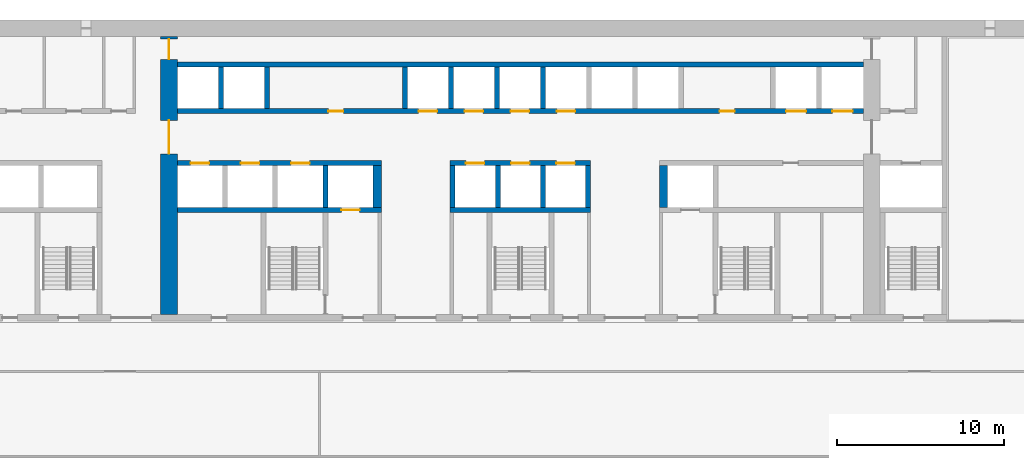
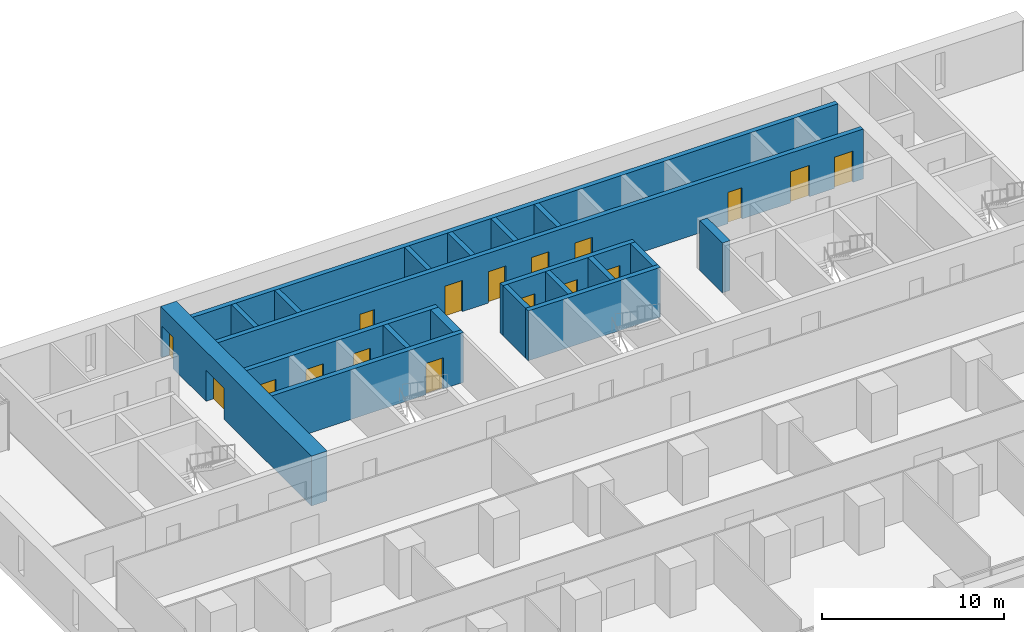
# One storey, part 11 of 18: 20 walls, 17 doors, 17 openings.
"""IFC4 building model written with IfcOpenShell, lengths in metres."""

from ifc_helpers import new_model, si_unit, direction, frame, frame_2d, origin, place, context, subcontext, project, spatial, rectangle, extrude, material, layer, layer_set, type_object, element, fill, save


model = new_model("IFC4")

# Units and contexts
model_context = context("Model", 3, precision=1e-05, world=origin(), true_north=direction((0.0, 1.0)))
body_context = subcontext(model_context, "Body", "Model", "MODEL_VIEW")
ifc_project = project(units=[si_unit("LENGTHUNIT", "METRE"), si_unit("AREAUNIT", "SQUARE_METRE"), si_unit("VOLUMEUNIT", "CUBIC_METRE"), si_unit("PLANEANGLEUNIT", "RADIAN"), si_unit("MASSUNIT", "GRAM", prefix="KILO")], contexts=[model_context])

# Site, building, storey
site_placement = place(None, origin())
site = spatial("IfcSite", under=ifc_project, at=site_placement, CompositionType="ELEMENT")
building_placement = place(site_placement, origin())
building = spatial("IfcBuilding", under=site, at=building_placement, Name="Calvaro Tower", CompositionType="ELEMENT")
storey_placement = place(building_placement, frame((0.0, 0.0, 60.0)))
storey = spatial("IfcBuildingStorey", under=building, at=storey_placement, Name="L14", CompositionType="ELEMENT", Elevation=60.0)

# Wall, openings, doors
ifc_material_1 = material(Name="Concrete C80/95", Category="concrete")
ifc_layer_1 = layer(ifc_material_1, 1.0)
ifc_layer_set_1 = layer_set([ifc_layer_1], Name="Concrete C80/95")
wall_type_1 = type_object("IfcWallType", Name="Core wall C80/95 1000", PredefinedType="SHEAR", material=ifc_layer_set_1)
wall_1_placement = place(storey_placement, frame((18.0, 28.39990234375, 0.0), z_axis=(0.0, 0.0, 1.0), x_axis=(0.0, 1.0, 0.0)))
wall_1 = element("IfcWall", 1, at=wall_1_placement, inside=storey, type_object=wall_type_1, Name="Core wall, cross shear wall", PredefinedType="SHEAR", context=body_context, shape_type="SweptSolid", body=[
    extrude(rectangle(XDim=16.60009765625, YDim=1.0, at=frame_2d((8.300048828125, 0.0))), origin(), (0.0, 0.0, 1.0), 3.35009765625),
])
opening_1_placement = place(wall_1_placement, frame((9.60009765625, 0.0, 0.0)))
opening_1 = element("IfcOpeningElement", 2, at=opening_1_placement, cuts=wall_1, Name="Opening DD20D", PredefinedType="OPENING", context=body_context, shape_type="SweptSolid", body=[
    extrude(rectangle(XDim=2.0, YDim=2.10009765625, at=frame_2d((1.0, 1.050048828125))), frame((0.0, 0.510009765625, 0.0), z_axis=(0.0, -1.0, 0.0), x_axis=(1.0, 0.0, 0.0)), (0.0, 0.0, 1.0), 1.02001953125),
])
opening_2_placement = place(wall_1_placement, frame((15.25, 0.0, 0.0)))
opening_2 = element("IfcOpeningElement", 3, at=opening_2_placement, cuts=wall_1, Name="Opening FD12C", PredefinedType="OPENING", context=body_context, shape_type="SweptSolid", body=[
    extrude(rectangle(XDim=1.199951171875, YDim=2.10009765625, at=frame_2d((0.60009765625, 1.050048828125))), frame((0.0, 0.510009765625, 0.0), z_axis=(0.0, -1.0, 0.0), x_axis=(1.0, 0.0, 0.0)), (0.0, 0.0, 1.0), 1.02001953125),
])
ifc_material_2 = material(Name="Steel door set", Category="steel")
door_type_1 = type_object("IfcDoorType", Name="Fire door 1200 FD30", OperationType="SINGLE_SWING_LEFT", PredefinedType="DOOR", material=ifc_material_2)
door_1_placement = place(opening_2_placement, origin())
door_1 = element("IfcDoor", 4, at=door_1_placement, inside=storey, type_object=door_type_1, Name="Fire door", OperationType="SINGLE_SWING_LEFT", OverallHeight=2.10009765625, OverallWidth=1.199951171875, PredefinedType="DOOR", context=body_context, shape_type="SweptSolid", body=[
    extrude(rectangle(XDim=1.199951171875, YDim=2.10009765625, at=frame_2d((0.60009765625, 1.050048828125))), frame((0.0, 0.02490234375, 0.0), z_axis=(0.0, -1.0, 0.0), x_axis=(1.0, 0.0, 0.0)), (0.0, 0.0, 1.0), 0.050048828125),
])
fill(opening_2, door_1)
ifc_material_3 = material(Name="Steel door set", Category="steel")
door_type_2 = type_object("IfcDoorType", Name="Lobby double door 2000 FD30S", OperationType="DOUBLE_DOOR_SINGLE_SWING", PredefinedType="DOOR", material=ifc_material_3)
door_2_placement = place(opening_1_placement, origin())
door_2 = element("IfcDoor", 5, at=door_2_placement, inside=storey, type_object=door_type_2, Name="Lobby double door", OperationType="DOUBLE_DOOR_SINGLE_SWING", OverallHeight=2.10009765625, OverallWidth=2.0, PredefinedType="DOOR", context=body_context, shape_type="SweptSolid", body=[
    extrude(rectangle(XDim=2.0, YDim=2.10009765625, at=frame_2d((1.0, 1.050048828125))), frame((0.0, 0.02490234375, 0.0), z_axis=(0.0, -1.0, 0.0), x_axis=(1.0, 0.0, 0.0)), (0.0, 0.0, 1.0), 0.050048828125),
])
fill(opening_1, door_2)

# Wall, opening, door
ifc_material_4 = material(Name="Concrete C80/95", Category="concrete")
ifc_layer_2 = layer(ifc_material_4, 0.300048828125)
ifc_layer_set_2 = layer_set([ifc_layer_2], Name="Concrete C80/95")
wall_type_2 = type_object("IfcWallType", Name="Core wall C80/95 300", PredefinedType="SHEAR", material=ifc_layer_set_2)
wall_2_placement = place(storey_placement, frame((18.5, 34.64990234375, 0.0), z_axis=(0.0, 0.0, 1.0), x_axis=(1.0, 0.0, 0.0)))
wall_2 = element("IfcWall", 6, at=wall_2_placement, inside=storey, type_object=wall_type_2, Name="Core wall, lift shaft", PredefinedType="SHEAR", context=body_context, shape_type="SweptSolid", body=[
    extrude(rectangle(XDim=12.199951171875, YDim=0.300048828125, at=frame_2d((6.10009765625, 0.0))), origin(), (0.0, 0.0, 1.0), 3.35009765625),
])
opening_3_placement = place(wall_2_placement, frame((9.800048828125, 0.0, 0.0)))
opening_3 = element("IfcOpeningElement", 7, at=opening_3_placement, cuts=wall_2, Name="Opening FF1", PredefinedType="OPENING", context=body_context, shape_type="SweptSolid", body=[
    extrude(rectangle(XDim=1.10009765625, YDim=2.10009765625, at=frame_2d((0.550048828125, 1.050048828125))), frame((0.0, 0.159912109375, 0.0), z_axis=(0.0, -1.0, 0.0), x_axis=(1.0, 0.0, 0.0)), (0.0, 0.0, 1.0), 0.320068359375),
])
ifc_material_5 = material(Name="Stainless steel", Category="steel")
door_type_3 = type_object("IfcDoorType", Name="Landing door 1100 E 60", OperationType="SLIDING_TO_LEFT", PredefinedType="DOOR", material=ifc_material_5)
door_3_placement = place(opening_3_placement, origin())
door_3 = element("IfcDoor", 8, at=door_3_placement, inside=storey, type_object=door_type_3, Name="Landing door FF1", OperationType="SLIDING_TO_LEFT", OverallHeight=2.10009765625, OverallWidth=1.10009765625, PredefinedType="DOOR", context=body_context, shape_type="SweptSolid", body=[
    extrude(rectangle(XDim=1.10009765625, YDim=2.10009765625, at=frame_2d((0.550048828125, 1.050048828125))), frame((0.0, 0.02490234375, 0.0), z_axis=(0.0, -1.0, 0.0), x_axis=(1.0, 0.0, 0.0)), (0.0, 0.0, 1.0), 0.050048828125),
])
fill(opening_3, door_3)

# Wall
wall_3_placement = place(storey_placement, frame((34.800048828125, 34.64990234375, 0.0), z_axis=(0.0, 0.0, 1.0), x_axis=(1.0, 0.0, 0.0)))
element("IfcWall", 9, at=wall_3_placement, inside=storey, type_object=wall_type_2, Name="Core wall, lift shaft", PredefinedType="SHEAR", context=body_context, shape_type="SweptSolid", body=[
    extrude(rectangle(XDim=8.39990234375, YDim=0.300048828125, at=frame_2d((4.199951171875, 0.0))), origin(), (0.0, 0.0, 1.0), 3.35009765625),
])

# Wall, openings, doors
wall_4_placement = place(storey_placement, frame((18.5, 37.449951171875, 0.0), z_axis=(0.0, 0.0, 1.0), x_axis=(1.0, 0.0, 0.0)))
wall_4 = element("IfcWall", 10, at=wall_4_placement, inside=storey, type_object=wall_type_2, Name="Core wall, lift shaft", PredefinedType="SHEAR", context=body_context, shape_type="SweptSolid", body=[
    extrude(rectangle(XDim=12.199951171875, YDim=0.300048828125, at=frame_2d((6.10009765625, 0.0))), origin(), (0.0, 0.0, 1.0), 3.35009765625),
])
opening_4_placement = place(wall_4_placement, frame((0.800048828125, 0.0, 0.0)))
opening_4 = element("IfcOpeningElement", 11, at=opening_4_placement, cuts=wall_4, Name="Opening LR1", PredefinedType="OPENING", context=body_context, shape_type="SweptSolid", body=[
    extrude(rectangle(XDim=1.10009765625, YDim=2.10009765625, at=frame_2d((0.550048828125, 1.050048828125))), frame((0.0, 0.159912109375, 0.0), z_axis=(0.0, -1.0, 0.0), x_axis=(1.0, 0.0, 0.0)), (0.0, 0.0, 1.0), 0.320068359375),
])
opening_5_placement = place(wall_4_placement, frame((3.800048828125, 0.0, 0.0)))
opening_5 = element("IfcOpeningElement", 12, at=opening_5_placement, cuts=wall_4, Name="Opening LR2", PredefinedType="OPENING", context=body_context, shape_type="SweptSolid", body=[
    extrude(rectangle(XDim=1.10009765625, YDim=2.10009765625, at=frame_2d((0.550048828125, 1.050048828125))), frame((0.0, 0.159912109375, 0.0), z_axis=(0.0, -1.0, 0.0), x_axis=(1.0, 0.0, 0.0)), (0.0, 0.0, 1.0), 0.320068359375),
])
opening_6_placement = place(wall_4_placement, frame((6.800048828125, 0.0, 0.0)))
opening_6 = element("IfcOpeningElement", 13, at=opening_6_placement, cuts=wall_4, Name="Opening LR3", PredefinedType="OPENING", context=body_context, shape_type="SweptSolid", body=[
    extrude(rectangle(XDim=1.10009765625, YDim=2.10009765625, at=frame_2d((0.550048828125, 1.050048828125))), frame((0.0, 0.159912109375, 0.0), z_axis=(0.0, -1.0, 0.0), x_axis=(1.0, 0.0, 0.0)), (0.0, 0.0, 1.0), 0.320068359375),
])
door_4_placement = place(opening_4_placement, origin())
door_4 = element("IfcDoor", 14, at=door_4_placement, inside=storey, type_object=door_type_3, Name="Landing door LR1", OperationType="SLIDING_TO_LEFT", OverallHeight=2.10009765625, OverallWidth=1.10009765625, PredefinedType="DOOR", context=body_context, shape_type="SweptSolid", body=[
    extrude(rectangle(XDim=1.10009765625, YDim=2.10009765625, at=frame_2d((0.550048828125, 1.050048828125))), frame((0.0, 0.02490234375, 0.0), z_axis=(0.0, -1.0, 0.0), x_axis=(1.0, 0.0, 0.0)), (0.0, 0.0, 1.0), 0.050048828125),
])
fill(opening_4, door_4)
door_5_placement = place(opening_5_placement, origin())
door_5 = element("IfcDoor", 15, at=door_5_placement, inside=storey, type_object=door_type_3, Name="Landing door LR2", OperationType="SLIDING_TO_LEFT", OverallHeight=2.10009765625, OverallWidth=1.10009765625, PredefinedType="DOOR", context=body_context, shape_type="SweptSolid", body=[
    extrude(rectangle(XDim=1.10009765625, YDim=2.10009765625, at=frame_2d((0.550048828125, 1.050048828125))), frame((0.0, 0.02490234375, 0.0), z_axis=(0.0, -1.0, 0.0), x_axis=(1.0, 0.0, 0.0)), (0.0, 0.0, 1.0), 0.050048828125),
])
fill(opening_5, door_5)
door_6_placement = place(opening_6_placement, origin())
door_6 = element("IfcDoor", 16, at=door_6_placement, inside=storey, type_object=door_type_3, Name="Landing door LR3", OperationType="SLIDING_TO_LEFT", OverallHeight=2.10009765625, OverallWidth=1.10009765625, PredefinedType="DOOR", context=body_context, shape_type="SweptSolid", body=[
    extrude(rectangle(XDim=1.10009765625, YDim=2.10009765625, at=frame_2d((0.550048828125, 1.050048828125))), frame((0.0, 0.02490234375, 0.0), z_axis=(0.0, -1.0, 0.0), x_axis=(1.0, 0.0, 0.0)), (0.0, 0.0, 1.0), 0.050048828125),
])
fill(opening_6, door_6)

wall_5_placement = place(storey_placement, frame((34.800048828125, 37.449951171875, 0.0), z_axis=(0.0, 0.0, 1.0), x_axis=(1.0, 0.0, 0.0)))
wall_5 = element("IfcWall", 17, at=wall_5_placement, inside=storey, type_object=wall_type_2, Name="Core wall, lift shaft", PredefinedType="SHEAR", context=body_context, shape_type="SweptSolid", body=[
    extrude(rectangle(XDim=8.39990234375, YDim=0.300048828125, at=frame_2d((4.199951171875, 0.0))), origin(), (0.0, 0.0, 1.0), 3.35009765625),
])
opening_7_placement = place(wall_5_placement, frame((0.949951171875, 0.0, 0.0)))
opening_7 = element("IfcOpeningElement", 18, at=opening_7_placement, cuts=wall_5, Name="Opening LR4", PredefinedType="OPENING", context=body_context, shape_type="SweptSolid", body=[
    extrude(rectangle(XDim=1.10009765625, YDim=2.10009765625, at=frame_2d((0.550048828125, 1.050048828125))), frame((0.0, 0.159912109375, 0.0), z_axis=(0.0, -1.0, 0.0), x_axis=(1.0, 0.0, 0.0)), (0.0, 0.0, 1.0), 0.320068359375),
])
opening_8_placement = place(wall_5_placement, frame((3.64990234375, 0.0, 0.0)))
opening_8 = element("IfcOpeningElement", 19, at=opening_8_placement, cuts=wall_5, Name="Opening LR5", PredefinedType="OPENING", context=body_context, shape_type="SweptSolid", body=[
    extrude(rectangle(XDim=1.10009765625, YDim=2.10009765625, at=frame_2d((0.550048828125, 1.050048828125))), frame((0.0, 0.159912109375, 0.0), z_axis=(0.0, -1.0, 0.0), x_axis=(1.0, 0.0, 0.0)), (0.0, 0.0, 1.0), 0.320068359375),
])
opening_9_placement = place(wall_5_placement, frame((6.35009765625, 0.0, 0.0)))
opening_9 = element("IfcOpeningElement", 20, at=opening_9_placement, cuts=wall_5, Name="Opening LR6", PredefinedType="OPENING", context=body_context, shape_type="SweptSolid", body=[
    extrude(rectangle(XDim=1.10009765625, YDim=2.10009765625, at=frame_2d((0.550048828125, 1.050048828125))), frame((0.0, 0.159912109375, 0.0), z_axis=(0.0, -1.0, 0.0), x_axis=(1.0, 0.0, 0.0)), (0.0, 0.0, 1.0), 0.320068359375),
])
door_7_placement = place(opening_7_placement, origin())
door_7 = element("IfcDoor", 21, at=door_7_placement, inside=storey, type_object=door_type_3, Name="Landing door LR4", OperationType="SLIDING_TO_LEFT", OverallHeight=2.10009765625, OverallWidth=1.10009765625, PredefinedType="DOOR", context=body_context, shape_type="SweptSolid", body=[
    extrude(rectangle(XDim=1.10009765625, YDim=2.10009765625, at=frame_2d((0.550048828125, 1.050048828125))), frame((0.0, 0.02490234375, 0.0), z_axis=(0.0, -1.0, 0.0), x_axis=(1.0, 0.0, 0.0)), (0.0, 0.0, 1.0), 0.050048828125),
])
fill(opening_7, door_7)
door_8_placement = place(opening_8_placement, origin())
door_8 = element("IfcDoor", 22, at=door_8_placement, inside=storey, type_object=door_type_3, Name="Landing door LR5", OperationType="SLIDING_TO_LEFT", OverallHeight=2.10009765625, OverallWidth=1.10009765625, PredefinedType="DOOR", context=body_context, shape_type="SweptSolid", body=[
    extrude(rectangle(XDim=1.10009765625, YDim=2.10009765625, at=frame_2d((0.550048828125, 1.050048828125))), frame((0.0, 0.02490234375, 0.0), z_axis=(0.0, -1.0, 0.0), x_axis=(1.0, 0.0, 0.0)), (0.0, 0.0, 1.0), 0.050048828125),
])
fill(opening_8, door_8)
door_9_placement = place(opening_9_placement, origin())
door_9 = element("IfcDoor", 23, at=door_9_placement, inside=storey, type_object=door_type_3, Name="Landing door LR6", OperationType="SLIDING_TO_LEFT", OverallHeight=2.10009765625, OverallWidth=1.10009765625, PredefinedType="DOOR", context=body_context, shape_type="SweptSolid", body=[
    extrude(rectangle(XDim=1.10009765625, YDim=2.10009765625, at=frame_2d((0.550048828125, 1.050048828125))), frame((0.0, 0.02490234375, 0.0), z_axis=(0.0, -1.0, 0.0), x_axis=(1.0, 0.0, 0.0)), (0.0, 0.0, 1.0), 0.050048828125),
])
fill(opening_9, door_9)

# Walls
for number, where, z_axis, x_axis, name in (
    (24, (27.35009765625, 34.800048828125, 0.0), (0.0, 0.0, 1.0), (0.0, 1.0, 0.0), "Core wall, lift shaft"),
    (25, (34.949951171875, 34.800048828125, 0.0), (0.0, 0.0, 1.0), (0.0, 1.0, 0.0), "Core wall, lift shaft"),
    (26, (43.050048828125, 34.800048828125, 0.0), (0.0, 0.0, 1.0), (0.0, 1.0, 0.0), "Core wall, lift shaft"),
):
    element("IfcWall", number, at=place(storey_placement, frame(where, z_axis=z_axis, x_axis=x_axis)), inside=storey, type_object=wall_type_2, Name=name, PredefinedType="SHEAR", context=body_context, shape_type="SweptSolid", body=[
        extrude(rectangle(XDim=2.5, YDim=0.300048828125, at=frame_2d((1.25, 0.0))), origin(), (0.0, 0.0, 1.0), 3.35009765625),
    ])

# Wall, openings, doors
wall_6_placement = place(storey_placement, frame((18.5, 40.550048828125, 0.0), z_axis=(0.0, 0.0, 1.0), x_axis=(1.0, 0.0, 0.0)))
wall_6 = element("IfcWall", 27, at=wall_6_placement, inside=storey, type_object=wall_type_2, Name="Core wall, bay", PredefinedType="SHEAR", context=body_context, shape_type="SweptSolid", body=[
    extrude(rectangle(XDim=41.0, YDim=0.300048828125, at=frame_2d((20.5, 0.0))), origin(), (0.0, 0.0, 1.0), 3.35009765625),
])
opening_10_placement = place(wall_6_placement, frame((9.02490234375, 0.0, 0.0)))
opening_10 = element("IfcOpeningElement", 28, at=opening_10_placement, cuts=wall_6, Name="Opening RD9C", PredefinedType="OPENING", context=body_context, shape_type="SweptSolid", body=[
    extrude(rectangle(XDim=0.89990234375, YDim=2.10009765625, at=frame_2d((0.449951171875, 1.050048828125))), frame((0.0, 0.159912109375, 0.0), z_axis=(0.0, -1.0, 0.0), x_axis=(1.0, 0.0, 0.0)), (0.0, 0.0, 1.0), 0.320068359375),
])
opening_11_placement = place(wall_6_placement, frame((32.39990234375, 0.0, 0.0)))
opening_11 = element("IfcOpeningElement", 29, at=opening_11_placement, cuts=wall_6, Name="Opening RD9C", PredefinedType="OPENING", context=body_context, shape_type="SweptSolid", body=[
    extrude(rectangle(XDim=0.89990234375, YDim=2.10009765625, at=frame_2d((0.449951171875, 1.050048828125))), frame((0.0, 0.159912109375, 0.0), z_axis=(0.0, -1.0, 0.0), x_axis=(1.0, 0.0, 0.0)), (0.0, 0.0, 1.0), 0.320068359375),
])
opening_12_placement = place(wall_6_placement, frame((14.425048828125, 0.0, 0.0)))
opening_12 = element("IfcOpeningElement", 30, at=opening_12_placement, cuts=wall_6, Name="Opening LR7", PredefinedType="OPENING", context=body_context, shape_type="SweptSolid", body=[
    extrude(rectangle(XDim=1.10009765625, YDim=2.10009765625, at=frame_2d((0.550048828125, 1.050048828125))), frame((0.0, 0.159912109375, 0.0), z_axis=(0.0, -1.0, 0.0), x_axis=(1.0, 0.0, 0.0)), (0.0, 0.0, 1.0), 0.320068359375),
])
opening_13_placement = place(wall_6_placement, frame((17.175048828125, 0.0, 0.0)))
opening_13 = element("IfcOpeningElement", 31, at=opening_13_placement, cuts=wall_6, Name="Opening LR8", PredefinedType="OPENING", context=body_context, shape_type="SweptSolid", body=[
    extrude(rectangle(XDim=1.10009765625, YDim=2.10009765625, at=frame_2d((0.550048828125, 1.050048828125))), frame((0.0, 0.159912109375, 0.0), z_axis=(0.0, -1.0, 0.0), x_axis=(1.0, 0.0, 0.0)), (0.0, 0.0, 1.0), 0.320068359375),
])
opening_14_placement = place(wall_6_placement, frame((19.925048828125, 0.0, 0.0)))
opening_14 = element("IfcOpeningElement", 32, at=opening_14_placement, cuts=wall_6, Name="Opening LR9", PredefinedType="OPENING", context=body_context, shape_type="SweptSolid", body=[
    extrude(rectangle(XDim=1.10009765625, YDim=2.10009765625, at=frame_2d((0.550048828125, 1.050048828125))), frame((0.0, 0.159912109375, 0.0), z_axis=(0.0, -1.0, 0.0), x_axis=(1.0, 0.0, 0.0)), (0.0, 0.0, 1.0), 0.320068359375),
])
opening_15_placement = place(wall_6_placement, frame((22.675048828125, 0.0, 0.0)))
opening_15 = element("IfcOpeningElement", 33, at=opening_15_placement, cuts=wall_6, Name="Opening LR10", PredefinedType="OPENING", context=body_context, shape_type="SweptSolid", body=[
    extrude(rectangle(XDim=1.10009765625, YDim=2.10009765625, at=frame_2d((0.550048828125, 1.050048828125))), frame((0.0, 0.159912109375, 0.0), z_axis=(0.0, -1.0, 0.0), x_axis=(1.0, 0.0, 0.0)), (0.0, 0.0, 1.0), 0.320068359375),
])
opening_16_placement = place(wall_6_placement, frame((36.375, 0.0, 0.0)))
opening_16 = element("IfcOpeningElement", 34, at=opening_16_placement, cuts=wall_6, Name="Opening SV1", PredefinedType="OPENING", context=body_context, shape_type="SweptSolid", body=[
    extrude(rectangle(XDim=1.199951171875, YDim=2.10009765625, at=frame_2d((0.60009765625, 1.050048828125))), frame((0.0, 0.159912109375, 0.0), z_axis=(0.0, -1.0, 0.0), x_axis=(1.0, 0.0, 0.0)), (0.0, 0.0, 1.0), 0.320068359375),
])
opening_17_placement = place(wall_6_placement, frame((39.14990234375, 0.0, 0.0)))
opening_17 = element("IfcOpeningElement", 35, at=opening_17_placement, cuts=wall_6, Name="Opening SV2", PredefinedType="OPENING", context=body_context, shape_type="SweptSolid", body=[
    extrude(rectangle(XDim=1.199951171875, YDim=2.10009765625, at=frame_2d((0.60009765625, 1.050048828125))), frame((0.0, 0.159912109375, 0.0), z_axis=(0.0, -1.0, 0.0), x_axis=(1.0, 0.0, 0.0)), (0.0, 0.0, 1.0), 0.320068359375),
])
door_10_placement = place(opening_12_placement, origin())
door_10 = element("IfcDoor", 36, at=door_10_placement, inside=storey, type_object=door_type_3, Name="Landing door LR7", OperationType="SLIDING_TO_LEFT", OverallHeight=2.10009765625, OverallWidth=1.10009765625, PredefinedType="DOOR", context=body_context, shape_type="SweptSolid", body=[
    extrude(rectangle(XDim=1.10009765625, YDim=2.10009765625, at=frame_2d((0.550048828125, 1.050048828125))), frame((0.0, 0.02490234375, 0.0), z_axis=(0.0, -1.0, 0.0), x_axis=(1.0, 0.0, 0.0)), (0.0, 0.0, 1.0), 0.050048828125),
])
fill(opening_12, door_10)
door_11_placement = place(opening_13_placement, origin())
door_11 = element("IfcDoor", 37, at=door_11_placement, inside=storey, type_object=door_type_3, Name="Landing door LR8", OperationType="SLIDING_TO_LEFT", OverallHeight=2.10009765625, OverallWidth=1.10009765625, PredefinedType="DOOR", context=body_context, shape_type="SweptSolid", body=[
    extrude(rectangle(XDim=1.10009765625, YDim=2.10009765625, at=frame_2d((0.550048828125, 1.050048828125))), frame((0.0, 0.02490234375, 0.0), z_axis=(0.0, -1.0, 0.0), x_axis=(1.0, 0.0, 0.0)), (0.0, 0.0, 1.0), 0.050048828125),
])
fill(opening_13, door_11)
door_12_placement = place(opening_14_placement, origin())
door_12 = element("IfcDoor", 38, at=door_12_placement, inside=storey, type_object=door_type_3, Name="Landing door LR9", OperationType="SLIDING_TO_LEFT", OverallHeight=2.10009765625, OverallWidth=1.10009765625, PredefinedType="DOOR", context=body_context, shape_type="SweptSolid", body=[
    extrude(rectangle(XDim=1.10009765625, YDim=2.10009765625, at=frame_2d((0.550048828125, 1.050048828125))), frame((0.0, 0.02490234375, 0.0), z_axis=(0.0, -1.0, 0.0), x_axis=(1.0, 0.0, 0.0)), (0.0, 0.0, 1.0), 0.050048828125),
])
fill(opening_14, door_12)
door_13_placement = place(opening_15_placement, origin())
door_13 = element("IfcDoor", 39, at=door_13_placement, inside=storey, type_object=door_type_3, Name="Landing door LR10", OperationType="SLIDING_TO_LEFT", OverallHeight=2.10009765625, OverallWidth=1.10009765625, PredefinedType="DOOR", context=body_context, shape_type="SweptSolid", body=[
    extrude(rectangle(XDim=1.10009765625, YDim=2.10009765625, at=frame_2d((0.550048828125, 1.050048828125))), frame((0.0, 0.02490234375, 0.0), z_axis=(0.0, -1.0, 0.0), x_axis=(1.0, 0.0, 0.0)), (0.0, 0.0, 1.0), 0.050048828125),
])
fill(opening_15, door_13)
ifc_material_6 = material(Name="Stainless steel", Category="steel")
door_type_4 = type_object("IfcDoorType", Name="Landing door 1200 E 60", OperationType="SLIDING_TO_LEFT", PredefinedType="DOOR", material=ifc_material_6)
door_14_placement = place(opening_16_placement, origin())
door_14 = element("IfcDoor", 40, at=door_14_placement, inside=storey, type_object=door_type_4, Name="Landing door SV1", OperationType="SLIDING_TO_LEFT", OverallHeight=2.10009765625, OverallWidth=1.199951171875, PredefinedType="DOOR", context=body_context, shape_type="SweptSolid", body=[
    extrude(rectangle(XDim=1.199951171875, YDim=2.10009765625, at=frame_2d((0.60009765625, 1.050048828125))), frame((0.0, 0.02490234375, 0.0), z_axis=(0.0, -1.0, 0.0), x_axis=(1.0, 0.0, 0.0)), (0.0, 0.0, 1.0), 0.050048828125),
])
fill(opening_16, door_14)
door_15_placement = place(opening_17_placement, origin())
door_15 = element("IfcDoor", 41, at=door_15_placement, inside=storey, type_object=door_type_4, Name="Landing door SV2", OperationType="SLIDING_TO_LEFT", OverallHeight=2.10009765625, OverallWidth=1.199951171875, PredefinedType="DOOR", context=body_context, shape_type="SweptSolid", body=[
    extrude(rectangle(XDim=1.199951171875, YDim=2.10009765625, at=frame_2d((0.60009765625, 1.050048828125))), frame((0.0, 0.02490234375, 0.0), z_axis=(0.0, -1.0, 0.0), x_axis=(1.0, 0.0, 0.0)), (0.0, 0.0, 1.0), 0.050048828125),
])
fill(opening_17, door_15)
ifc_material_7 = material(Name="Steel door set", Category="steel")
door_type_5 = type_object("IfcDoorType", Name="Room door 900 FD30", OperationType="SINGLE_SWING_LEFT", PredefinedType="DOOR", material=ifc_material_7)
door_16_placement = place(opening_10_placement, origin())
door_16 = element("IfcDoor", 42, at=door_16_placement, inside=storey, type_object=door_type_5, Name="Room door", OperationType="SINGLE_SWING_RIGHT", OverallHeight=2.10009765625, OverallWidth=0.89990234375, PredefinedType="DOOR", context=body_context, shape_type="SweptSolid", body=[
    extrude(rectangle(XDim=0.89990234375, YDim=2.10009765625, at=frame_2d((0.449951171875, 1.050048828125))), frame((0.0, 0.02490234375, 0.0), z_axis=(0.0, -1.0, 0.0), x_axis=(1.0, 0.0, 0.0)), (0.0, 0.0, 1.0), 0.050048828125),
])
fill(opening_10, door_16)
door_17_placement = place(opening_11_placement, origin())
door_17 = element("IfcDoor", 43, at=door_17_placement, inside=storey, type_object=door_type_5, Name="Room door", OperationType="SINGLE_SWING_LEFT", OverallHeight=2.10009765625, OverallWidth=0.89990234375, PredefinedType="DOOR", context=body_context, shape_type="SweptSolid", body=[
    extrude(rectangle(XDim=0.89990234375, YDim=2.10009765625, at=frame_2d((0.449951171875, 1.050048828125))), frame((0.0, 0.02490234375, 0.0), z_axis=(0.0, -1.0, 0.0), x_axis=(1.0, 0.0, 0.0)), (0.0, 0.0, 1.0), 0.050048828125),
])
fill(opening_11, door_17)

# Walls
wall_7_placement = place(storey_placement, frame((18.5, 43.35009765625, 0.0), z_axis=(0.0, 0.0, 1.0), x_axis=(1.0, 0.0, 0.0)))
element("IfcWall", 44, at=wall_7_placement, inside=storey, type_object=wall_type_2, Name="Core wall, lift shaft", PredefinedType="SHEAR", context=body_context, shape_type="SweptSolid", body=[
    extrude(rectangle(XDim=41.0, YDim=0.300048828125, at=frame_2d((20.5, 0.0))), origin(), (0.0, 0.0, 1.0), 3.35009765625),
])
for number, where, z_axis, x_axis, name in (
    (45, (37.64990234375, 34.800048828125, 0.0), (0.0, 0.0, 1.0), (0.0, 1.0, 0.0), "Core wall, lift shaft"),
    (46, (40.35009765625, 34.800048828125, 0.0), (0.0, 0.0, 1.0), (0.0, 1.0, 0.0), "Core wall, lift shaft"),
    (47, (21.10009765625, 40.699951171875, 0.0), (0.0, 0.0, 1.0), (0.0, 1.0, 0.0), "Core wall, lift shaft"),
    (48, (23.85009765625, 40.699951171875, 0.0), (0.0, 0.0, 1.0), (0.0, 1.0, 0.0), "Core wall, lift shaft"),
    (49, (32.10009765625, 40.699951171875, 0.0), (0.0, 0.0, 1.0), (0.0, 1.0, 0.0), "Core wall, lift shaft"),
    (50, (34.85009765625, 40.699951171875, 0.0), (0.0, 0.0, 1.0), (0.0, 1.0, 0.0), "Core wall, lift shaft"),
    (51, (37.60009765625, 40.699951171875, 0.0), (0.0, 0.0, 1.0), (0.0, 1.0, 0.0), "Core wall, lift shaft"),
    (52, (40.35009765625, 40.699951171875, 0.0), (0.0, 0.0, 1.0), (0.0, 1.0, 0.0), "Core wall, lift shaft"),
):
    element("IfcWall", number, at=place(storey_placement, frame(where, z_axis=z_axis, x_axis=x_axis)), inside=storey, type_object=wall_type_2, Name=name, PredefinedType="SHEAR", context=body_context, shape_type="SweptSolid", body=[
        extrude(rectangle(XDim=2.5, YDim=0.300048828125, at=frame_2d((1.25, 0.0))), origin(), (0.0, 0.0, 1.0), 3.35009765625),
    ])
ifc_material_8 = material(Name="Concrete C80/95", Category="concrete")
ifc_layer_3 = layer(ifc_material_8, 0.5)
ifc_layer_set_3 = layer_set([ifc_layer_3], Name="Concrete C80/95")
wall_type_3 = type_object("IfcWallType", Name="Core wall C80/95 500", PredefinedType="SHEAR", material=ifc_layer_set_3)
for number, where, z_axis, x_axis, name in (
    (53, (30.449951171875, 34.800048828125, 0.0), (0.0, 0.0, 1.0), (0.0, 1.0, 0.0), "Core wall, lift shaft"),
    (54, (47.550048828125, 34.800048828125, 0.0), (0.0, 0.0, 1.0), (0.0, 1.0, 0.0), "Core wall, lift shaft"),
):
    element("IfcWall", number, at=place(storey_placement, frame(where, z_axis=z_axis, x_axis=x_axis)), inside=storey, type_object=wall_type_3, Name=name, PredefinedType="SHEAR", context=body_context, shape_type="SweptSolid", body=[
        extrude(rectangle(XDim=2.5, YDim=0.5, at=frame_2d((1.25, 0.0))), origin(), (0.0, 0.0, 1.0), 3.35009765625),
    ])

save(model, "model.ifc")
